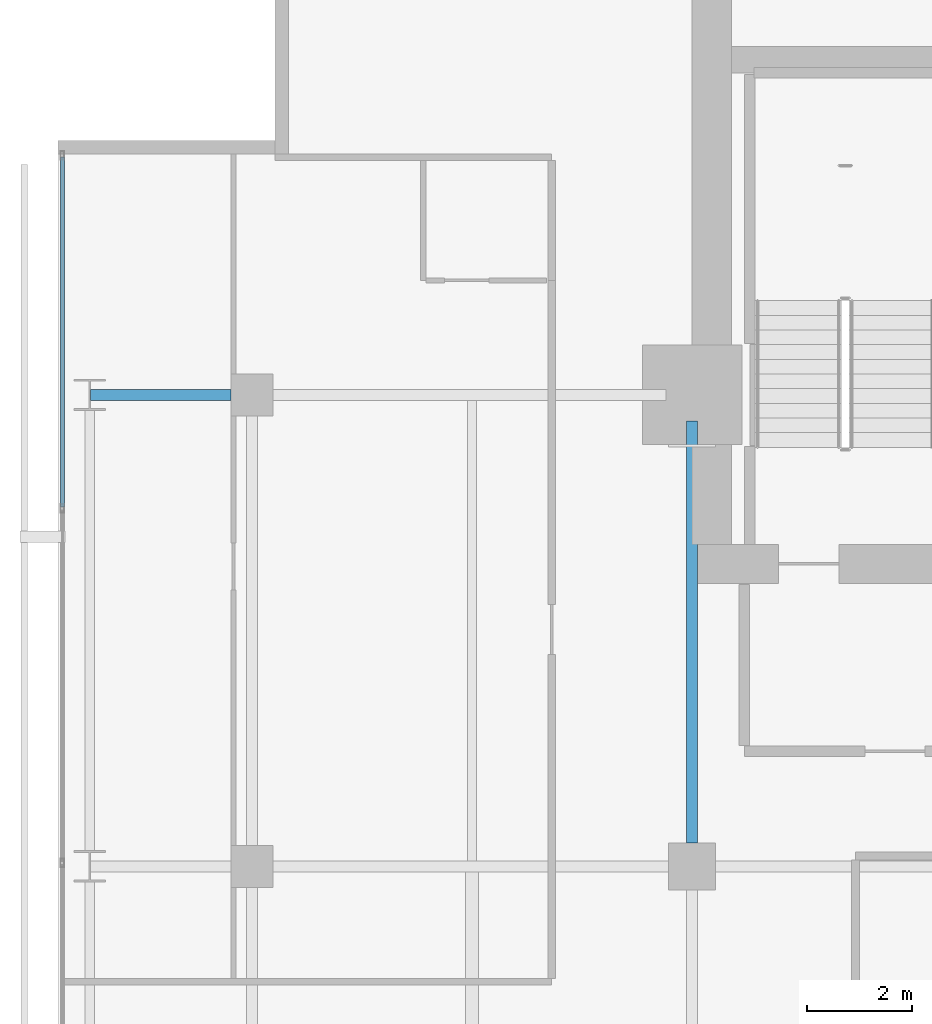
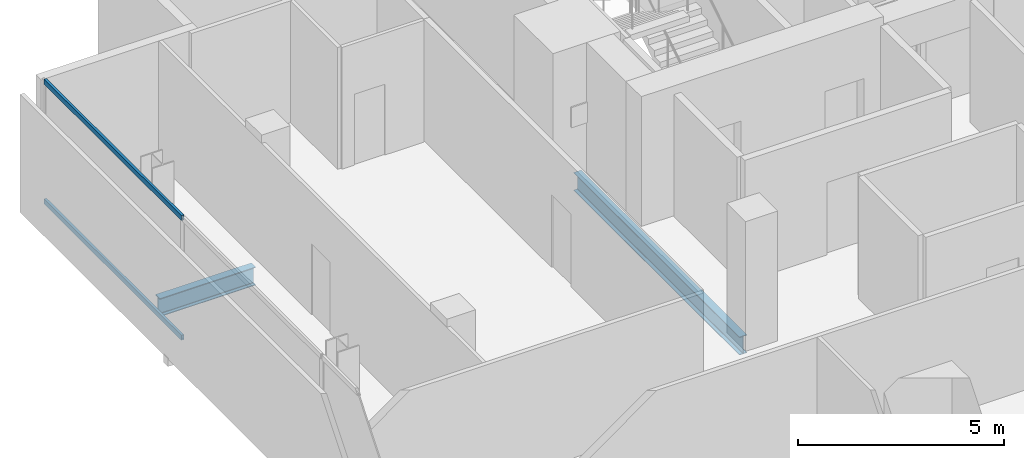
# One storey, part 19 of 33: 2 beams, 2 members, 1 element without a shape of its own.
"""IFC4 building model written with IfcOpenShell, lengths in metres."""

from ifc_helpers import new_model, si_unit, direction, frame, origin, origin_2d, place, context, subcontext, project, spatial, hollow_rectangle, i_section, extrude, material, layer, layer_set, material_profile, profile_set, type_object, element, aggregate, save


model = new_model("IFC4")

# Units and contexts
model_context = context("Model", 3, precision=1e-05, world=origin(), true_north=direction((0.0, 1.0)))
body_context = subcontext(model_context, "Body", "Model", "MODEL_VIEW")
ifc_project = project(units=[si_unit("LENGTHUNIT", "METRE"), si_unit("AREAUNIT", "SQUARE_METRE"), si_unit("VOLUMEUNIT", "CUBIC_METRE"), si_unit("PLANEANGLEUNIT", "RADIAN"), si_unit("MASSUNIT", "GRAM", prefix="KILO")], contexts=[model_context])

# Site, building, storey
site_placement = place(None, origin())
site = spatial("IfcSite", under=ifc_project, at=site_placement, CompositionType="ELEMENT")
building_placement = place(site_placement, origin())
building = spatial("IfcBuilding", under=site, at=building_placement, Name="Maruvema Waterfront Hotel and Observation Tower", CompositionType="ELEMENT")
storey_placement = place(building_placement, frame((0.0, 0.0, 204.39990234375)))
storey = spatial("IfcBuildingStorey", under=building, at=storey_placement, Name="L50", CompositionType="ELEMENT", Elevation=204.39990234375)

# Curtain wall, members
ifc_material_1 = material(Name="Anodised bronze aluminium and solar-control low-E IGU", Category="aluminium")
ifc_layer = layer(ifc_material_1, 0.159912109375, Name="Zone 2 Amber Inner Thermal Curtain Wall System CW-03")
ifc_layer_set = layer_set([ifc_layer], Name="Anodised bronze aluminium and solar-control low-E IGU")
curtain_wall_type = type_object("IfcCurtainWallType", Name="Zone 2 Amber Inner Thermal Curtain Wall System CW-03", PredefinedType="USERDEFINED", material=ifc_layer_set)
curtain_wall_placement = place(storey_placement, origin())
curtain_wall = element("IfcCurtainWall", 1, at=curtain_wall_placement, inside=storey, type_object=curtain_wall_type, Name="L50 Curtain Wall CW-L50-W", ObjectType="UNITISED CURTAIN WALL", PredefinedType="USERDEFINED")
ifc_material_2 = material(Name="Anodised architectural bronze aluminium", Category="aluminium")
ifc_material_profile_1 = material_profile(ifc_material_2, hollow_rectangle(XDim=0.070068359375, YDim=0.14990234375, WallThickness=0.00390625, at=origin_2d()), Name="ALU-T70x150")
ifc_profile_set_1 = profile_set([ifc_material_profile_1], Name="Anodised architectural bronze aluminium")
member_type = type_object("IfcMemberType", Name="Curtain Wall Horizontal Transom ALU-T70x150", PredefinedType="USERDEFINED", material=ifc_profile_set_1)
member_1_placement = place(storey_placement, frame((13.179931640625, 49.5400390625, 0.030029296875), z_axis=(0.0, -1.0, 0.0), x_axis=(1.0, 0.0, 0.0)))
member_1 = element("IfcMember", 2, at=member_1_placement, type_object=member_type, Name="CW-03 transom 1.1", ObjectType="TRANSOM", PredefinedType="USERDEFINED", context=body_context, shape_type="SweptSolid", body=[
    extrude(hollow_rectangle(XDim=0.070068359375, YDim=0.14990234375, WallThickness=0.00390625, at=origin_2d()), origin(), (0.0, 0.0, 1.0), 6.6767578125),
])
member_2_placement = place(storey_placement, frame((13.179931640625, 49.5400390625, 3.580078125), z_axis=(0.0, -1.0, 0.0), x_axis=(1.0, 0.0, 0.0)))
member_2 = element("IfcMember", 3, at=member_2_placement, type_object=member_type, Name="CW-03 transom 1.2", ObjectType="TRANSOM", PredefinedType="USERDEFINED", context=body_context, shape_type="SweptSolid", body=[
    extrude(hollow_rectangle(XDim=0.070068359375, YDim=0.14990234375, WallThickness=0.00390625, at=origin_2d()), origin(), (0.0, 0.0, 1.0), 6.6767578125),
])
aggregate(curtain_wall, [member_1, member_2])

# Beams
ifc_material_3 = material(Name="Steel ASTM A572 Grade 50", Category="steel")
ifc_material_profile_2 = material_profile(ifc_material_3, i_section(OverallWidth=0.2109375, OverallDepth=0.5390625, WebThickness=0.01171875, FlangeThickness=0.018798828125, FilletRadius=0.014892578125, at=origin_2d()), Name="W530x109.0")
ifc_profile_set_2 = profile_set([ifc_material_profile_2], Name="Steel ASTM A572 Grade 50")
beam_type = type_object("IfcBeamType", Name="Primary Floor Girder W530x109.0", PredefinedType="BEAM", material=ifc_profile_set_2)
beam_1_placement = place(storey_placement, frame((13.71240234375, 45.0, -0.509521484375), z_axis=(1.0, 0.0, 0.0), x_axis=(0.0, 1.0, 0.0)))
element("IfcBeam", 4, at=beam_1_placement, inside=storey, type_object=beam_type, Name="L50 Floor Girder EW-30", PredefinedType="BEAM", context=body_context, shape_type="SweptSolid", body=[
    extrude(i_section(OverallWidth=0.2109375, OverallDepth=0.5390625, WebThickness=0.01171875, FlangeThickness=0.018798828125, FilletRadius=0.014892578125, at=origin_2d()), origin(), (0.0, 0.0, 1.0), 2.6875),
])
beam_2_placement = place(storey_placement, frame((25.199951171875, 36.449951171875, -0.509521484375), z_axis=(0.0, 1.0, 0.0), x_axis=(-1.0, 0.0, 0.0)))
element("IfcBeam", 5, at=beam_2_placement, inside=storey, type_object=beam_type, Name="L50 Floor Girder NS-13", PredefinedType="BEAM", context=body_context, shape_type="SweptSolid", body=[
    extrude(i_section(OverallWidth=0.2109375, OverallDepth=0.5390625, WebThickness=0.01171875, FlangeThickness=0.018798828125, FilletRadius=0.014892578125, at=origin_2d()), origin(), (0.0, 0.0, 1.0), 8.050048828125),
])

save(model, "model.ifc")
